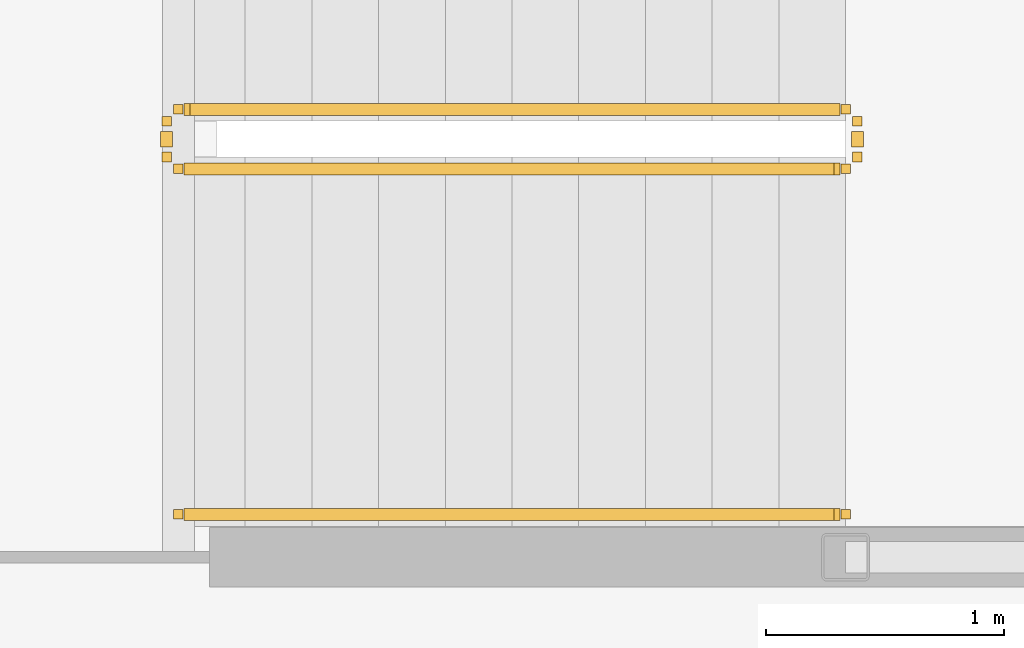
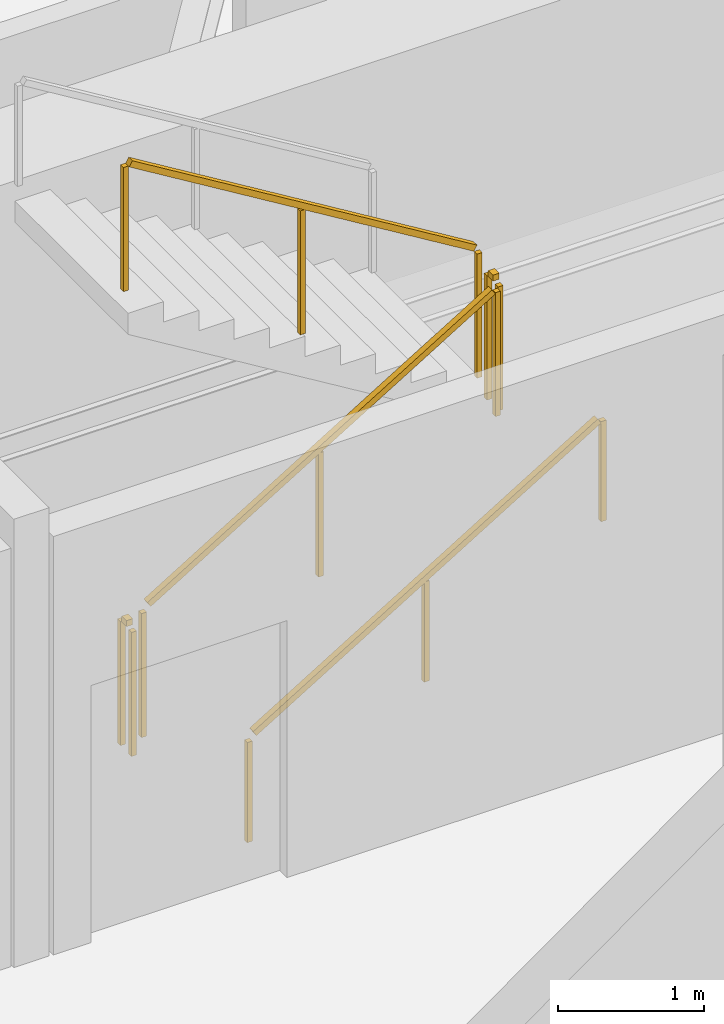
# One storey, part 19 of 20: 5 railings.
"""IFC4 building model written with IfcOpenShell, lengths in metres."""

from ifc_helpers import new_model, si_unit, direction, frame, origin, origin_2d, place, context, subcontext, project, spatial, rectangle, extrude, material, type_object, element, save


model = new_model("IFC4")

# Units and contexts
model_context = context("Model", 3, precision=1e-05, world=origin(), true_north=direction((0.0, 1.0)))
body_context = subcontext(model_context, "Body", "Model", "MODEL_VIEW")
ifc_project = project(units=[si_unit("LENGTHUNIT", "METRE"), si_unit("AREAUNIT", "SQUARE_METRE"), si_unit("VOLUMEUNIT", "CUBIC_METRE"), si_unit("PLANEANGLEUNIT", "RADIAN"), si_unit("MASSUNIT", "GRAM", prefix="KILO")], contexts=[model_context])

# Site, building, storey
site_placement = place(None, origin())
site = spatial("IfcSite", under=ifc_project, at=site_placement, CompositionType="ELEMENT")
building_placement = place(site_placement, origin())
building = spatial("IfcBuilding", under=site, at=building_placement, Name="Kazma Halo Residences", CompositionType="ELEMENT")
storey_placement = place(building_placement, frame((0.0, 0.0, 161.550048828125)))
storey = spatial("IfcBuildingStorey", under=building, at=storey_placement, Name="L40", CompositionType="ELEMENT", Elevation=161.550048828125)

# Railings
ifc_material_1 = material(Name="Painted Steel S355", Category="steel")
railing_type_1 = type_object("IfcRailingType", Name="RLG-STAIR-GRD-1100", PredefinedType="GUARDRAIL", material=ifc_material_1)
railing_1_placement = place(storey_placement, frame((53.199951171875, 48.25, 0.17041015625)))
element("IfcRailing", 1, at=railing_1_placement, inside=storey, type_object=railing_type_1, Name="L40 ST-02 stair guard 1", PredefinedType="GUARDRAIL", context=body_context, shape_type="SweptSolid", body=[
    extrude(rectangle(XDim=0.050048828125, YDim=0.050048828125, at=origin_2d()), frame((0.036376953125, 0.0, 1.09716796875), z_axis=(0.854169791009, 0.0, 0.51999420009), x_axis=(0.0, 1.0, 0.0)), (0.0, 0.0, 1.0), 3.193115234375),
    extrude(rectangle(XDim=0.0400390625, YDim=0.0400390625, at=origin_2d()), origin(), (0.0, 0.0, 1.0), 1.0380859375),
    extrude(rectangle(XDim=0.0400390625, YDim=0.0400390625, at=origin_2d()), frame((1.39990234375, 0.0, 0.852294921875)), (0.0, 0.0, 1.0), 1.0380859375),
    extrude(rectangle(XDim=0.0400390625, YDim=0.0400390625, at=origin_2d()), frame((2.800048828125, 0.0, 1.70458984375)), (0.0, 0.0, 1.0), 1.0380859375),
])
railing_2_placement = place(storey_placement, frame((56.050048828125, 48.300048828125, 1.875)))
element("IfcRailing", 2, at=railing_2_placement, inside=storey, type_object=railing_type_1, Name="L40 ST-02 stair guard 2", PredefinedType="GUARDRAIL", context=body_context, shape_type="SweptSolid", body=[
    extrude(rectangle(XDim=0.050048828125, YDim=0.050048828125, at=origin_2d()), frame((0.0, 0.04248046875, 1.0751953125), z_axis=(0.0, 1.0, 0.0), x_axis=(-1.0, 0.0, 0.0)), (0.0, 0.0, 1.0), 0.06494140625),
    extrude(rectangle(XDim=0.0400390625, YDim=0.0400390625, at=origin_2d()), origin(), (0.0, 0.0, 1.0), 1.0380859375),
    extrude(rectangle(XDim=0.0400390625, YDim=0.0400390625, at=origin_2d()), frame((0.0, 0.14990234375, 0.0)), (0.0, 0.0, 1.0), 1.0380859375),
])
railing_3_placement = place(storey_placement, frame((56.0, 48.5, 2.04541015625)))
element("IfcRailing", 3, at=railing_3_placement, inside=storey, type_object=railing_type_1, Name="L40 ST-02 stair guard 3", PredefinedType="GUARDRAIL", context=body_context, shape_type="SweptSolid", body=[
    extrude(rectangle(XDim=0.050048828125, YDim=0.050048828125, at=origin_2d()), frame((-0.036376953125, 0.0, 1.09716796875), z_axis=(-0.854169791009, 0.0, 0.51999420009), x_axis=(0.0, -1.0, 0.0)), (0.0, 0.0, 1.0), 3.193115234375),
    extrude(rectangle(XDim=0.0400390625, YDim=0.0400390625, at=origin_2d()), origin(), (0.0, 0.0, 1.0), 1.0380859375),
    extrude(rectangle(XDim=0.0400390625, YDim=0.0400390625, at=origin_2d()), frame((-1.39990234375, 0.0, 0.852294921875)), (0.0, 0.0, 1.0), 1.0380859375),
    extrude(rectangle(XDim=0.0400390625, YDim=0.0400390625, at=origin_2d()), frame((-2.800048828125, 0.0, 1.70458984375)), (0.0, 0.0, 1.0), 1.0380859375),
])
railing_4_placement = place(storey_placement, frame((53.14990234375, 48.300048828125, 0.0)))
element("IfcRailing", 4, at=railing_4_placement, inside=storey, type_object=railing_type_1, Name="L40 ST-02 stair guard 4", PredefinedType="GUARDRAIL", context=body_context, shape_type="SweptSolid", body=[
    extrude(rectangle(XDim=0.050048828125, YDim=0.050048828125, at=origin_2d()), frame((0.0, 0.04248046875, 1.0751953125), z_axis=(0.0, 1.0, 0.0), x_axis=(-1.0, 0.0, 0.0)), (0.0, 0.0, 1.0), 0.06494140625),
    extrude(rectangle(XDim=0.0400390625, YDim=0.0400390625, at=origin_2d()), origin(), (0.0, 0.0, 1.0), 1.0380859375),
    extrude(rectangle(XDim=0.0400390625, YDim=0.0400390625, at=origin_2d()), frame((0.0, 0.14990234375, 0.0)), (0.0, 0.0, 1.0), 1.0380859375),
])
ifc_material_2 = material(Name="Brushed Stainless Steel", Category="steel")
railing_type_2 = type_object("IfcRailingType", Name="RLG-STAIR-HND-900", PredefinedType="HANDRAIL", material=ifc_material_2)
railing_5_placement = place(storey_placement, frame((53.199951171875, 46.800048828125, 0.17041015625)))
element("IfcRailing", 5, at=railing_5_placement, inside=storey, type_object=railing_type_2, Name="L40 ST-02 stair handrail 1", PredefinedType="HANDRAIL", context=body_context, shape_type="SweptSolid", body=[
    extrude(rectangle(XDim=0.050048828125, YDim=0.050048828125, at=origin_2d()), frame((0.036376953125, 0.0, 0.89697265625), z_axis=(0.854169791009, 0.0, 0.51999420009), x_axis=(0.0, 1.0, 0.0)), (0.0, 0.0, 1.0), 3.193115234375),
    extrude(rectangle(XDim=0.0400390625, YDim=0.0400390625, at=origin_2d()), origin(), (0.0, 0.0, 1.0), 0.837890625),
    extrude(rectangle(XDim=0.0400390625, YDim=0.0400390625, at=origin_2d()), frame((1.39990234375, 0.0, 0.852294921875)), (0.0, 0.0, 1.0), 0.837890625),
    extrude(rectangle(XDim=0.0400390625, YDim=0.0400390625, at=origin_2d()), frame((2.800048828125, 0.0, 1.70458984375)), (0.0, 0.0, 1.0), 0.837890625),
])

save(model, "model.ifc")
